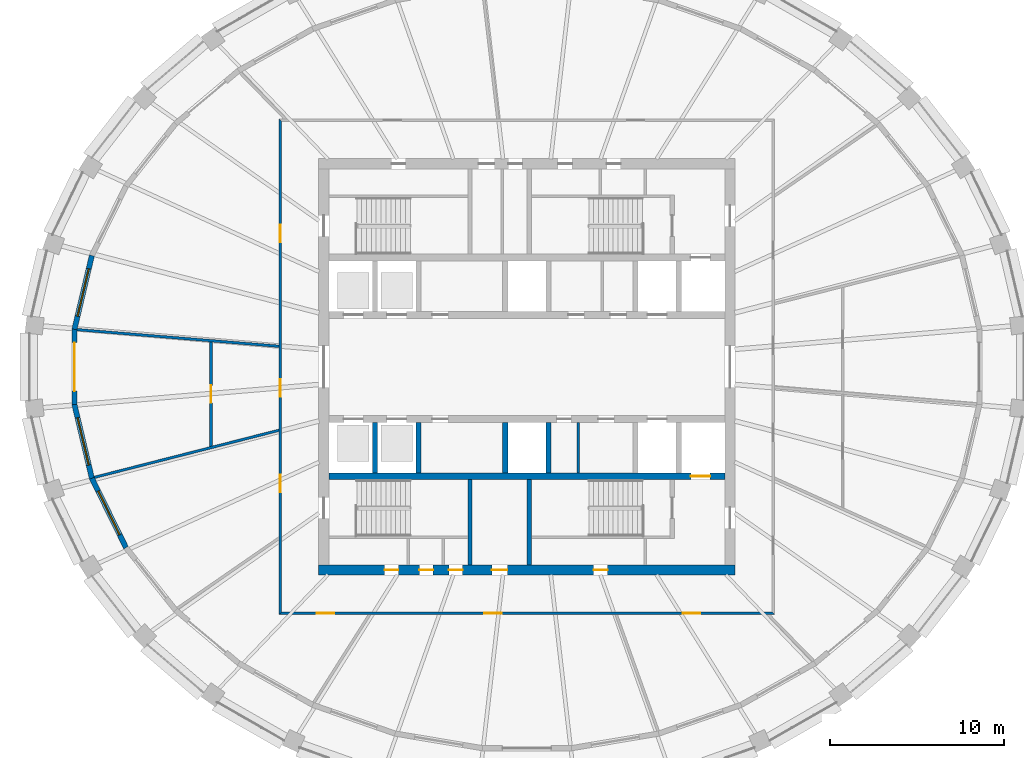
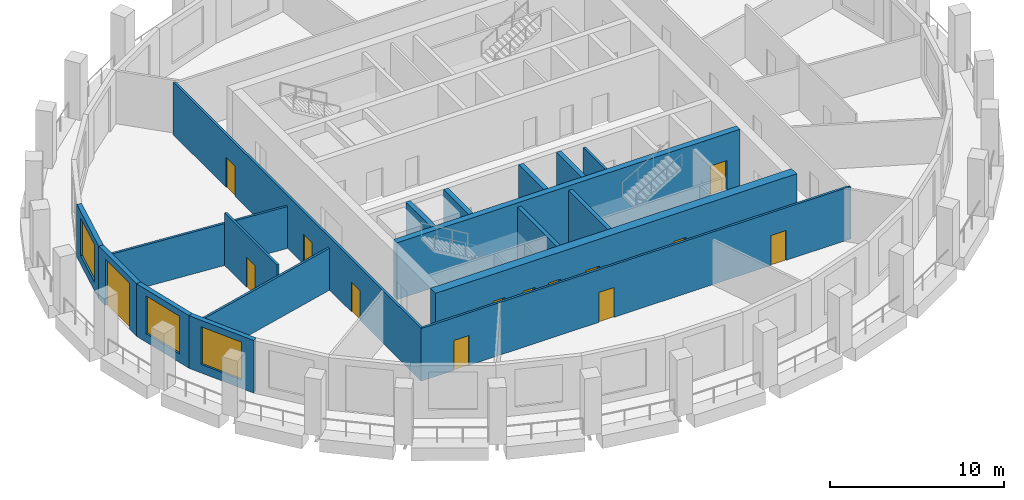
# One storey, part 3 of 10: 18 walls, 14 doors, 3 windows, 17 openings.
"""IFC4 building model written with IfcOpenShell, lengths in metres."""

import ifcopenshell
import ifcopenshell.guid

model = None  # the IFC model being written
_history = None  # IfcOwnerHistory: only IFC2X3 demands one
_inside = {}  # id of a spatial element -> (the spatial element, [elements in it])
_under = {}  # id of a project, library or spatial element -> (it, [spatial elements below it])
_declared = {}  # id of a project -> (the project, [libraries it declares])
_typed = {}  # id of a type object -> (the type object, [elements of that type])
_made_of = {}  # id of a material, layer set ... -> (it, [elements and type objects made of it])


def new_model(schema):
    """Start an empty IFC model of exactly this schema.

    Asked for "IFC4X3", IfcOpenShell would pick the latest addendum, in which some entities
    have other attributes; the version numbers below select the first issue.
    IFC2X3 requires an IfcOwnerHistory on every rooted entity: one is made here for all.
    """
    global model, _history
    if schema == "IFC4X3":
        model = ifcopenshell.file(schema_version=(4, 3, 0, 0))
    else:
        model = ifcopenshell.file(schema=schema)
    _inside.clear()
    _under.clear()
    _declared.clear()
    _typed.clear()
    _made_of.clear()
    _history = None
    if model.schema == "IFC2X3":
        org = make("IfcOrganization", Name="unknown")
        user = make(
            "IfcPersonAndOrganization",
            ThePerson=make("IfcPerson", FamilyName="unknown"),
            TheOrganization=org,
        )
        app = make(
            "IfcApplication",
            ApplicationDeveloper=org,
            Version="unknown",
            ApplicationFullName="unknown",
            ApplicationIdentifier="unknown",
        )
        _history = make(
            "IfcOwnerHistory",
            OwningUser=user,
            OwningApplication=app,
            ChangeAction="ADDED",
            CreationDate=0,
        )
    return model


def make(cls, **values):
    """One entity of the class cls with the attributes given. An attribute that is None is left unset."""
    return model.create_entity(
        cls, **{name: value for name, value in values.items() if value is not None}
    )


def rooted(cls, **values):
    """An entity with a GlobalId (a new one), such as an element, a storey or a relation."""
    return make(cls, GlobalId=ifcopenshell.guid.new(), OwnerHistory=_history, **values)


def si_unit(unit_type, name, prefix=None):
    """IfcSIUnit, for example si_unit("LENGTHUNIT", "METRE", prefix="MILLI")."""
    return make("IfcSIUnit", UnitType=unit_type, Prefix=prefix, Name=name)


def assignment(units):
    """IfcUnitAssignment: the units of a project."""
    return None if units is None else make("IfcUnitAssignment", Units=units)


def point(xyz):
    """IfcCartesianPoint."""
    return None if xyz is None else make("IfcCartesianPoint", Coordinates=xyz)


def direction(xyz):
    """IfcDirection."""
    return None if xyz is None else make("IfcDirection", DirectionRatios=xyz)


def frame(location, z_axis=None, x_axis=None):
    """IfcAxis2Placement3D, a coordinate frame: its origin and axes. An axis left out is left unset."""
    return make(
        "IfcAxis2Placement3D",
        Location=point(location),
        Axis=direction(z_axis),
        RefDirection=direction(x_axis),
    )


def frame_2d(location, x_axis=None):
    """IfcAxis2Placement2D, a coordinate frame in the plane: its origin and x axis."""
    return make(
        "IfcAxis2Placement2D", Location=point(location), RefDirection=direction(x_axis)
    )


def origin():
    """The frame at (0, 0, 0) with its axes left unset."""
    return frame((0.0, 0.0, 0.0))


def place(relative_to, where):
    """IfcLocalPlacement: puts the frame where relative to a parent placement (None: the world)."""
    return make(
        "IfcLocalPlacement", PlacementRelTo=relative_to, RelativePlacement=where
    )


def context(
    kind, dimensions, precision=None, world=None, true_north=None, identifier=None
):
    """IfcGeometricRepresentationContext, for example the 3D "Model" context."""
    return make(
        "IfcGeometricRepresentationContext",
        ContextIdentifier=identifier,
        ContextType=kind,
        CoordinateSpaceDimension=dimensions,
        Precision=precision,
        WorldCoordinateSystem=world,
        TrueNorth=true_north,
    )


def subcontext(parent, identifier, kind, view, scale=None):
    """IfcGeometricRepresentationSubContext, for example "Body" below "Model"."""
    return make(
        "IfcGeometricRepresentationSubContext",
        ContextIdentifier=identifier,
        ContextType=kind,
        ParentContext=parent,
        TargetScale=scale,
        TargetView=view,
    )


def project(units=None, contexts=None):
    """IfcProject with its units and contexts."""
    return rooted(
        "IfcProject",
        Name="project",
        RepresentationContexts=contexts,
        UnitsInContext=assignment(units),
    )


def spatial(cls, under=None, at=None, **own):
    """A site, building, storey or space (cls), placed at a placement, below another one or the project."""
    s = rooted(cls, ObjectPlacement=at, **own)
    if under is not None:
        _under.setdefault(under.id(), (under, []))[1].append(s)
    return s


def polyline(points):
    """IfcPolyline through the points."""
    return make("IfcPolyline", Points=[point(p) for p in points])


def profile(cls, at=None, kind="AREA", **sizes):
    """A parametric profile (cls). Its sizes go by their IFC names, for example OverallWidth=200.0."""
    return make(cls, ProfileType=kind, Position=at, **sizes)


def rectangle(**sizes):
    """IfcRectangleProfileDef."""
    return profile("IfcRectangleProfileDef", **sizes)


def outline(outer, holes=None, kind="AREA"):
    """IfcArbitraryClosedProfileDef: a profile drawn as a closed curve; with holes, ...WithVoids."""
    if holes is None:
        return make("IfcArbitraryClosedProfileDef", ProfileType=kind, OuterCurve=outer)
    return make(
        "IfcArbitraryProfileDefWithVoids",
        ProfileType=kind,
        OuterCurve=outer,
        InnerCurves=holes,
    )


def extrude(swept, where, along, depth):
    """IfcExtrudedAreaSolid: the profile swept, set in the frame where, extruded along a direction by depth."""
    return make(
        "IfcExtrudedAreaSolid",
        SweptArea=swept,
        Position=where,
        ExtrudedDirection=direction(along),
        Depth=depth,
    )


def shape(context_of_items, identifier, shape_type, items):
    """IfcShapeRepresentation: the items that make up one representation, for example the "Body"."""
    return make(
        "IfcShapeRepresentation",
        ContextOfItems=context_of_items,
        RepresentationIdentifier=identifier,
        RepresentationType=shape_type,
        Items=items,
    )


def material(Name=None, Category=None):
    """IfcMaterial."""
    return make("IfcMaterial", Name=Name, Category=Category)


def layer(
    of_material, thickness, ventilated=None, Name=None, Category=None, Priority=None
):
    """IfcMaterialLayer: one layer of a wall or slab, of a material (None: an air gap)."""
    return make(
        "IfcMaterialLayer",
        Material=of_material,
        LayerThickness=thickness,
        IsVentilated=ventilated,
        Name=Name,
        Category=Category,
        Priority=Priority,
    )


def layer_set(layers, Name=None):
    """IfcMaterialLayerSet."""
    return make("IfcMaterialLayerSet", MaterialLayers=layers, LayerSetName=Name)


def made_of(thing, what):
    """Note that an element or type object is made of a material, layer set ...; save() writes the relation."""
    if what is not None:
        _made_of.setdefault(what.id(), (what, []))[1].append(thing)
    return thing


def type_object(cls, material=None, **own):
    """A type object (cls), such as IfcWallType, which elements share."""
    return made_of(rooted(cls, **own), material)


def element(
    cls,
    number,
    at=None,
    inside=None,
    cuts=None,
    type_object=None,
    material=None,
    context=None,
    identifier="Body",
    shape_type=None,
    held_by="IfcProductDefinitionShape",
    body=None,
    shapes=None,
    **own,
):
    """One element of the class cls, such as IfcWall. Its Tag is "e" and its number.

    at: its placement. inside: the storey or other place that contains it. cuts: it is an
    opening in that element (IfcRelVoidsElement). A single representation is given by context,
    identifier, shape_type and body (its items); several are given by shapes. held_by: the class
    of the entity that holds the representations. save() writes the other relations.
    """
    e = rooted(cls, Tag="e%d" % number, ObjectPlacement=at, **own)
    if body is not None:
        shapes = [shape(context, identifier, shape_type, body)]
    if shapes is not None:
        e.Representation = make(held_by, Representations=shapes)
    if inside is not None:
        _inside.setdefault(inside.id(), (inside, []))[1].append(e)
    if cuts is not None:
        rooted(
            "IfcRelVoidsElement", RelatingBuildingElement=cuts, RelatedOpeningElement=e
        )
    if type_object is not None:
        _typed.setdefault(type_object.id(), (type_object, []))[1].append(e)
    return made_of(e, material)


def fill(opening, filler):
    """IfcRelFillsElement: the door or window that sits in an opening."""
    return rooted(
        "IfcRelFillsElement",
        RelatingOpeningElement=opening,
        RelatedBuildingElement=filler,
    )


def aggregate(whole, parts):
    """IfcRelAggregates: a whole, such as a stair, and the parts it consists of."""
    return rooted("IfcRelAggregates", RelatingObject=whole, RelatedObjects=parts)


def save(model, path):
    """Write the relations noted so far, then the file.

    IfcRelAggregates (storeys below a building ...), IfcRelContainedInSpatialStructure (elements
    in a storey), IfcRelDefinesByType, IfcRelAssociatesMaterial and IfcRelDeclares: one each for
    every whole, place, type object, material and project.
    """
    for whole, parts in _under.values():
        aggregate(whole, parts)
    for where, things in _inside.values():
        rooted(
            "IfcRelContainedInSpatialStructure",
            RelatedElements=things,
            RelatingStructure=where,
        )
    for kind, things in _typed.values():
        rooted("IfcRelDefinesByType", RelatedObjects=things, RelatingType=kind)
    for what, things in _made_of.values():
        rooted("IfcRelAssociatesMaterial", RelatedObjects=things, RelatingMaterial=what)
    for by, libraries in _declared.values():
        rooted("IfcRelDeclares", RelatingContext=by, RelatedDefinitions=libraries)
    model.write(path)


model = new_model("IFC4")

# Units and contexts
model_context = context("Model", 3, precision=1e-05, world=origin(), true_north=direction((0.0, 1.0)))
body_context = subcontext(model_context, "Body", "Model", "MODEL_VIEW")
ifc_project = project(units=[si_unit("LENGTHUNIT", "METRE"), si_unit("AREAUNIT", "SQUARE_METRE"), si_unit("VOLUMEUNIT", "CUBIC_METRE"), si_unit("PLANEANGLEUNIT", "RADIAN"), si_unit("MASSUNIT", "GRAM", prefix="KILO")], contexts=[model_context])

# Site, building, storey
site_placement = place(None, origin())
site = spatial("IfcSite", under=ifc_project, at=site_placement, CompositionType="ELEMENT")
building_placement = place(site_placement, origin())
building = spatial("IfcBuilding", under=site, at=building_placement, Name="Halqa Exchange Tower", CompositionType="ELEMENT")
storey_placement = place(building_placement, frame((0.0, 0.0, 312.300048828125)))
storey = spatial("IfcBuildingStorey", under=building, at=storey_placement, Name="L73", CompositionType="ELEMENT", Elevation=312.300048828125)

# Wall, opening, door
ifc_material_1 = material(Name="Gypsum board")
ifc_layer_1 = layer(ifc_material_1, 0.14990234375)
ifc_layer_set_1 = layer_set([ifc_layer_1], Name="Gypsum board")
wall_type_1 = type_object("IfcWallType", Name="Acoustic partition 150", PredefinedType="PARTITIONING", material=ifc_layer_set_1)
wall_1_placement = place(storey_placement, frame((-18.199951171875, -4.592529296875, 0.0), z_axis=(0.0, 0.0, 1.0), x_axis=(0.0, 1.0, 0.0)))
wall_1 = element("IfcWall", 1, at=wall_1_placement, inside=storey, type_object=wall_type_1, Name="L73-PWL-003", PredefinedType="PARTITIONING", context=body_context, shape_type="SweptSolid", body=[
    extrude(outline(polyline([(0.0380859375, -0.074951171875), (2.0322265625, -0.074951171875), (4.0263671875, -0.074951171875), (6.0205078125, -0.074951171875), (6.032470703125, 0.069580078125), (6.032470703125, 0.074951171875), (4.5244140625, 0.074951171875), (3.01611328125, 0.074951171875), (1.508056640625, 0.074951171875), (0.0, 0.074951171875), (0.0, 0.07470703125), (0.0380859375, -0.074951171875)])), origin(), (0.0, 0.0, 1.0), 3.699951171875),
])
opening_1_placement = place(wall_1_placement, frame((2.5224609375, 0.0, 0.0)))
opening_1 = element("IfcOpeningElement", 2, at=opening_1_placement, cuts=wall_1, Name="Opening 22-13", PredefinedType="OPENING", context=body_context, shape_type="SweptSolid", body=[
    extrude(rectangle(XDim=1.0, YDim=2.10009765625, at=frame_2d((0.5, 1.050048828125))), frame((0.0, 0.0869140625, 0.0), z_axis=(0.0, -1.0, 0.0), x_axis=(1.0, 0.0, 0.0)), (0.0, 0.0, 1.0), 0.173828125),
])
ifc_material_2 = material(Name="Timber door leaf", Category="wood")
door_type_1 = type_object("IfcDoorType", Name="Acoustic door 1000 x 2100", OperationType="SINGLE_SWING_LEFT", PredefinedType="DOOR", material=ifc_material_2)
door_1_placement = place(opening_1_placement, frame((1.0, 0.0, 0.0), z_axis=(0.0, 0.0, 1.0), x_axis=(-1.0, 0.0, 0.0)))
door_1 = element("IfcDoor", 3, at=door_1_placement, inside=storey, type_object=door_type_1, Name="L73-IDR-013", OperationType="SINGLE_SWING_LEFT", OverallHeight=2.10009765625, OverallWidth=1.0, PredefinedType="DOOR", context=body_context, shape_type="SweptSolid", body=[
    extrude(rectangle(XDim=1.0, YDim=2.10009765625, at=frame_2d((0.5, 1.050048828125))), frame((0.0, 0.02490234375, 0.0), z_axis=(0.0, -1.0, 0.0), x_axis=(1.0, 0.0, 0.0)), (0.0, 0.0, 1.0), 0.050048828125),
])
fill(opening_1, door_1)

# Walls
ifc_material_3 = material(Name="Fire-rated gypsum board")
ifc_layer_2 = layer(ifc_material_3, 0.14990234375)
ifc_layer_set_2 = layer_set([ifc_layer_2], Name="Fire-rated gypsum board")
wall_type_2 = type_object("IfcWallType", Name="Fire partition EI 60 150", PredefinedType="PARTITIONING", material=ifc_layer_set_2)
wall_2_placement = place(storey_placement, frame((-25.91015625, 2.14453125, 0.0), z_axis=(0.0, 0.0, 1.0), x_axis=(0.996625584757, -0.082081933503, 0.0)))
element("IfcWall", 4, at=wall_2_placement, inside=storey, type_object=wall_type_2, Name="L73-PWL-001", PredefinedType="PARTITIONING", context=body_context, shape_type="SweptSolid", body=[
    extrude(outline(polyline([(11.68017578125, -0.074951171875), (11.68017578125, -0.068359375), (11.66845703125, 0.074951171875), (9.724365234375, 0.074951171875), (7.7802734375, 0.074951171875), (5.836181640625, 0.074951171875), (3.89208984375, 0.074951171875), (1.947998046875, 0.074951171875), (0.00390625, 0.074951171875), (0.0, 0.049072265625), (0.0, -0.074951171875), (1.94677734375, -0.074951171875), (3.893310546875, -0.074951171875), (5.840087890625, -0.074951171875), (7.786865234375, -0.074951171875), (9.7333984375, -0.074951171875), (11.68017578125, -0.074951171875)])), origin(), (0.0, 0.0, 1.0), 2.947021484375),
])
wall_3_placement = place(storey_placement, frame((-24.918701171875, -6.365478515625, 0.0), z_axis=(0.0, 0.0, 1.0), x_axis=(0.968945878768, 0.247272893819, 0.0)))
element("IfcWall", 5, at=wall_3_placement, inside=storey, type_object=wall_type_2, Name="L73-PWL-002", PredefinedType="PARTITIONING", context=body_context, shape_type="SweptSolid", body=[
    extrude(outline(polyline([(0.014892578125, -0.074951171875), (1.83984375, -0.074951171875), (3.6650390625, -0.074951171875), (5.490234375, -0.074951171875), (7.3154296875, -0.074951171875), (9.140625, -0.074951171875), (10.965576171875, -0.074951171875), (11.00390625, 0.07470703125), (11.00390625, 0.074951171875), (9.017333984375, 0.074951171875), (7.030517578125, 0.074951171875), (7.030517578125, 0.074462890625), (7.028076171875, 0.074951171875), (5.27099609375, 0.074951171875), (3.51416015625, 0.074951171875), (1.757080078125, 0.074951171875), (0.0, 0.074951171875), (0.0, -0.004638671875), (0.014892578125, -0.074951171875)])), origin(), (0.0, 0.0, 1.0), 2.947021484375),
])

# Wall, openings, doors
wall_4_placement = place(storey_placement, frame((-14.199951171875, -14.27490234375, 0.0), z_axis=(0.0, 0.0, 1.0), x_axis=(0.0, 1.0, 0.0)))
wall_4 = element("IfcWall", 6, at=wall_4_placement, inside=storey, type_object=wall_type_2, Name="L73-PWL-005", PredefinedType="PARTITIONING", context=body_context, shape_type="SweptSolid", body=[
    extrude(outline(polyline([(0.14990234375, -0.074951171875), (2.033203125, -0.074951171875), (3.91650390625, -0.074951171875), (5.7998046875, -0.074951171875), (7.683349609375, -0.074951171875), (9.566650390625, -0.074951171875), (11.449951171875, -0.074951171875), (13.333251953125, -0.074951171875), (15.216552734375, -0.074951171875), (17.099853515625, -0.074951171875), (18.983154296875, -0.074951171875), (20.866455078125, -0.074951171875), (22.75, -0.074951171875), (24.63330078125, -0.074951171875), (26.5166015625, -0.074951171875), (28.39990234375, -0.074951171875), (28.5498046875, 0.074951171875), (28.5498046875, 0.074951171875), (26.646484375, 0.074951171875), (24.7431640625, 0.074951171875), (22.83984375, 0.074951171875), (20.9365234375, 0.074951171875), (19.033203125, 0.074951171875), (17.1298828125, 0.074951171875), (15.2265625, 0.074951171875), (13.3232421875, 0.074951171875), (11.419921875, 0.074951171875), (9.5166015625, 0.074951171875), (7.61328125, 0.074951171875), (5.7099609375, 0.074951171875), (3.806640625, 0.074951171875), (1.9033203125, 0.074951171875), (0.0, 0.074951171875), (0.14990234375, -0.074951171875)])), origin(), (0.0, 0.0, 1.0), 3.699951171875),
])
opening_2_placement = place(wall_4_placement, frame((21.465087890625, 0.0, 0.0)))
opening_2 = element("IfcOpeningElement", 7, at=opening_2_placement, cuts=wall_4, Name="Opening 22-01", PredefinedType="OPENING", context=body_context, shape_type="SweptSolid", body=[
    extrude(rectangle(XDim=1.0, YDim=2.10009765625, at=frame_2d((0.5, 1.050048828125))), frame((0.0, 0.0869140625, 0.0), z_axis=(0.0, -1.0, 0.0), x_axis=(1.0, 0.0, 0.0)), (0.0, 0.0, 1.0), 0.173828125),
])
opening_3_placement = place(wall_4_placement, frame((12.550048828125, 0.0, 0.0)))
opening_3 = element("IfcOpeningElement", 8, at=opening_3_placement, cuts=wall_4, Name="Opening 22-02", PredefinedType="OPENING", context=body_context, shape_type="SweptSolid", body=[
    extrude(rectangle(XDim=1.0, YDim=2.10009765625, at=frame_2d((0.5, 1.050048828125))), frame((0.0, 0.0869140625, 0.0), z_axis=(0.0, -1.0, 0.0), x_axis=(1.0, 0.0, 0.0)), (0.0, 0.0, 1.0), 0.173828125),
])
opening_4_placement = place(wall_4_placement, frame((7.054931640625, 0.0, 0.0)))
opening_4 = element("IfcOpeningElement", 9, at=opening_4_placement, cuts=wall_4, Name="Opening 22-03", PredefinedType="OPENING", context=body_context, shape_type="SweptSolid", body=[
    extrude(rectangle(XDim=1.0, YDim=2.10009765625, at=frame_2d((0.5, 1.050048828125))), frame((0.0, 0.0869140625, 0.0), z_axis=(0.0, -1.0, 0.0), x_axis=(1.0, 0.0, 0.0)), (0.0, 0.0, 1.0), 0.173828125),
])
ifc_material_4 = material(Name="Steel fire door leaf", Category="steel")
door_type_2 = type_object("IfcDoorType", Name="Fire door FD30S 1000 x 2100", OperationType="SINGLE_SWING_LEFT", PredefinedType="DOOR", material=ifc_material_4)
door_2_placement = place(opening_2_placement, origin())
door_2 = element("IfcDoor", 10, at=door_2_placement, inside=storey, type_object=door_type_2, Name="L73-IDR-001", OperationType="SINGLE_SWING_LEFT", OverallHeight=2.10009765625, OverallWidth=1.0, PredefinedType="DOOR", context=body_context, shape_type="SweptSolid", body=[
    extrude(rectangle(XDim=1.0, YDim=2.10009765625, at=frame_2d((0.5, 1.050048828125))), frame((0.0, 0.02490234375, 0.0), z_axis=(0.0, -1.0, 0.0), x_axis=(1.0, 0.0, 0.0)), (0.0, 0.0, 1.0), 0.050048828125),
])
fill(opening_2, door_2)
door_3_placement = place(opening_3_placement, origin())
door_3 = element("IfcDoor", 11, at=door_3_placement, inside=storey, type_object=door_type_2, Name="L73-IDR-002", OperationType="SINGLE_SWING_LEFT", OverallHeight=2.10009765625, OverallWidth=1.0, PredefinedType="DOOR", context=body_context, shape_type="SweptSolid", body=[
    extrude(rectangle(XDim=1.0, YDim=2.10009765625, at=frame_2d((0.5, 1.050048828125))), frame((0.0, 0.02490234375, 0.0), z_axis=(0.0, -1.0, 0.0), x_axis=(1.0, 0.0, 0.0)), (0.0, 0.0, 1.0), 0.050048828125),
])
fill(opening_3, door_3)
door_4_placement = place(opening_4_placement, origin())
door_4 = element("IfcDoor", 12, at=door_4_placement, inside=storey, type_object=door_type_2, Name="L73-IDR-003", OperationType="SINGLE_SWING_LEFT", OverallHeight=2.10009765625, OverallWidth=1.0, PredefinedType="DOOR", context=body_context, shape_type="SweptSolid", body=[
    extrude(rectangle(XDim=1.0, YDim=2.10009765625, at=frame_2d((0.5, 1.050048828125))), frame((0.0, 0.02490234375, 0.0), z_axis=(0.0, -1.0, 0.0), x_axis=(1.0, 0.0, 0.0)), (0.0, 0.0, 1.0), 0.050048828125),
])
fill(opening_4, door_4)

wall_5_placement = place(storey_placement, frame((-14.27490234375, -14.199951171875, 0.0), z_axis=(0.0, 0.0, 1.0), x_axis=(1.0, 0.0, 0.0)))
wall_5 = element("IfcWall", 13, at=wall_5_placement, inside=storey, type_object=wall_type_2, Name="L73-PWL-006", PredefinedType="PARTITIONING", context=body_context, shape_type="SweptSolid", body=[
    extrude(outline(polyline([(28.5498046875, -0.074951171875), (28.5498046875, -0.074951171875), (28.39990234375, 0.074951171875), (26.5166015625, 0.074951171875), (24.63330078125, 0.074951171875), (22.75, 0.074951171875), (20.866455078125, 0.074951171875), (18.983154296875, 0.074951171875), (17.099853515625, 0.074951171875), (15.216552734375, 0.074951171875), (13.333251953125, 0.074951171875), (11.449951171875, 0.074951171875), (9.566650390625, 0.074951171875), (7.683349609375, 0.074951171875), (5.7998046875, 0.074951171875), (3.91650390625, 0.074951171875), (2.033203125, 0.074951171875), (0.14990234375, 0.074951171875), (0.0, -0.074951171875), (1.9033203125, -0.074951171875), (3.806640625, -0.074951171875), (5.7099609375, -0.074951171875), (7.61328125, -0.074951171875), (9.5166015625, -0.074951171875), (11.419921875, -0.074951171875), (13.3232421875, -0.074951171875), (15.2265625, -0.074951171875), (17.1298828125, -0.074951171875), (19.033203125, -0.074951171875), (20.9365234375, -0.074951171875), (22.83984375, -0.074951171875), (24.7431640625, -0.074951171875), (26.646484375, -0.074951171875), (28.5498046875, -0.074951171875)])), origin(), (0.0, 0.0, 1.0), 3.699951171875),
])
opening_5_placement = place(wall_5_placement, frame((2.1650390625, 0.0, 0.0)))
opening_5 = element("IfcOpeningElement", 14, at=opening_5_placement, cuts=wall_5, Name="Opening 22-04", PredefinedType="OPENING", context=body_context, shape_type="SweptSolid", body=[
    extrude(rectangle(XDim=1.0, YDim=2.10009765625, at=frame_2d((0.5, 1.050048828125))), frame((0.0, 0.0869140625, 0.0), z_axis=(0.0, -1.0, 0.0), x_axis=(1.0, 0.0, 0.0)), (0.0, 0.0, 1.0), 0.173828125),
])
opening_6_placement = place(wall_5_placement, frame((11.824951171875, 0.0, 0.0)))
opening_6 = element("IfcOpeningElement", 15, at=opening_6_placement, cuts=wall_5, Name="Opening 22-05", PredefinedType="OPENING", context=body_context, shape_type="SweptSolid", body=[
    extrude(rectangle(XDim=1.0, YDim=2.10009765625, at=frame_2d((0.5, 1.050048828125))), frame((0.0, 0.0869140625, 0.0), z_axis=(0.0, -1.0, 0.0), x_axis=(1.0, 0.0, 0.0)), (0.0, 0.0, 1.0), 0.173828125),
])
opening_7_placement = place(wall_5_placement, frame((23.2548828125, 0.0, 0.0)))
opening_7 = element("IfcOpeningElement", 16, at=opening_7_placement, cuts=wall_5, Name="Opening 22-06", PredefinedType="OPENING", context=body_context, shape_type="SweptSolid", body=[
    extrude(rectangle(XDim=1.0, YDim=2.10009765625, at=frame_2d((0.5, 1.050048828125))), frame((0.0, 0.0869140625, 0.0), z_axis=(0.0, -1.0, 0.0), x_axis=(1.0, 0.0, 0.0)), (0.0, 0.0, 1.0), 0.173828125),
])
door_5_placement = place(opening_5_placement, frame((1.0, 0.0, 0.0), z_axis=(0.0, 0.0, 1.0), x_axis=(-1.0, 0.0, 0.0)))
door_5 = element("IfcDoor", 17, at=door_5_placement, inside=storey, type_object=door_type_2, Name="L73-IDR-004", OperationType="SINGLE_SWING_RIGHT", OverallHeight=2.10009765625, OverallWidth=1.0, PredefinedType="DOOR", context=body_context, shape_type="SweptSolid", body=[
    extrude(rectangle(XDim=1.0, YDim=2.10009765625, at=frame_2d((0.5, 1.050048828125))), frame((0.0, 0.02490234375, 0.0), z_axis=(0.0, -1.0, 0.0), x_axis=(1.0, 0.0, 0.0)), (0.0, 0.0, 1.0), 0.050048828125),
])
fill(opening_5, door_5)
door_6_placement = place(opening_6_placement, frame((1.0, 0.0, 0.0), z_axis=(0.0, 0.0, 1.0), x_axis=(-1.0, 0.0, 0.0)))
door_6 = element("IfcDoor", 18, at=door_6_placement, inside=storey, type_object=door_type_2, Name="L73-IDR-005", OperationType="SINGLE_SWING_LEFT", OverallHeight=2.10009765625, OverallWidth=1.0, PredefinedType="DOOR", context=body_context, shape_type="SweptSolid", body=[
    extrude(rectangle(XDim=1.0, YDim=2.10009765625, at=frame_2d((0.5, 1.050048828125))), frame((0.0, 0.02490234375, 0.0), z_axis=(0.0, -1.0, 0.0), x_axis=(1.0, 0.0, 0.0)), (0.0, 0.0, 1.0), 0.050048828125),
])
fill(opening_6, door_6)
door_7_placement = place(opening_7_placement, frame((1.0, 0.0, 0.0), z_axis=(0.0, 0.0, 1.0), x_axis=(-1.0, 0.0, 0.0)))
door_7 = element("IfcDoor", 19, at=door_7_placement, inside=storey, type_object=door_type_2, Name="L73-IDR-006", OperationType="SINGLE_SWING_LEFT", OverallHeight=2.10009765625, OverallWidth=1.0, PredefinedType="DOOR", context=body_context, shape_type="SweptSolid", body=[
    extrude(rectangle(XDim=1.0, YDim=2.10009765625, at=frame_2d((0.5, 1.050048828125))), frame((0.0, 0.02490234375, 0.0), z_axis=(0.0, -1.0, 0.0), x_axis=(1.0, 0.0, 0.0)), (0.0, 0.0, 1.0), 0.050048828125),
])
fill(opening_7, door_7)

# Walls
ifc_layer_3 = layer(ifc_material_1, 0.14990234375)
ifc_layer_set_3 = layer_set([ifc_layer_3], Name="Gypsum board")
wall_type_3 = type_object("IfcWallType", Name="Penthouse riser wall 150 gypsum", PredefinedType="PARTITIONING", material=ifc_layer_set_3)
wall_6_placement = place(storey_placement, frame((2.949951171875, -6.10009765625, 0.0), z_axis=(0.0, 0.0, 1.0), x_axis=(0.0, 1.0, 0.0)))
element("IfcWall", 20, at=wall_6_placement, inside=storey, type_object=wall_type_3, Name="Freed bay partition SE2.950", PredefinedType="PARTITIONING", context=body_context, shape_type="SweptSolid", body=[
    extrude(rectangle(XDim=2.900146484375, YDim=0.14990234375, at=frame_2d((1.4501953125, 0.0))), origin(), (0.0, 0.0, 1.0), 3.699951171875),
])
ifc_material_5 = material(Name="Concrete C60/75", Category="concrete")
ifc_layer_4 = layer(ifc_material_5, 0.300048828125)
ifc_layer_set_4 = layer_set([ifc_layer_4], Name="Concrete C60/75")
wall_type_4 = type_object("IfcWallType", Name="RC core wall 300", PredefinedType="SHEAR", material=ifc_layer_set_4)
for number, where, z_axis, x_axis, name in (
    (21, (-8.75, -6.10009765625, 0.0), (0.0, 0.0, 1.0), (0.0, 1.0, 0.0), "Shaft divider S1"),
    (22, (-6.25, -6.10009765625, 0.0), (0.0, 0.0, 1.0), (0.0, 1.0, 0.0), "Shaft divider S2"),
    (23, (-1.25, -6.10009765625, 0.0), (0.0, 0.0, 1.0), (0.0, 1.0, 0.0), "Shaft divider S4"),
    (24, (1.25, -6.10009765625, 0.0), (0.0, 0.0, 1.0), (0.0, 1.0, 0.0), "Shaft divider S5"),
):
    element("IfcWall", number, at=place(storey_placement, frame(where, z_axis=z_axis, x_axis=x_axis)), inside=storey, type_object=wall_type_4, Name=name, PredefinedType="SHEAR", context=body_context, shape_type="SweptSolid", body=[
        extrude(rectangle(XDim=2.900146484375, YDim=0.300048828125, at=frame_2d((1.4501953125, 0.0))), origin(), (0.0, 0.0, 1.0), 4.0),
    ])

# Wall, opening, door
ifc_layer_5 = layer(ifc_material_5, 0.39990234375)
ifc_layer_set_5 = layer_set([ifc_layer_5], Name="Concrete C60/75")
wall_type_5 = type_object("IfcWallType", Name="RC core wall 400 C60/75", PredefinedType="SHEAR", material=ifc_layer_set_5)
wall_7_placement = place(storey_placement, frame((-11.39990234375, -6.300048828125, 0.0), z_axis=(0.0, 0.0, 1.0), x_axis=(1.0, 0.0, 0.0)))
wall_7 = element("IfcWall", 25, at=wall_7_placement, inside=storey, type_object=wall_type_5, Name="Lift row back wall S", PredefinedType="SHEAR", context=body_context, shape_type="SweptSolid", body=[
    extrude(rectangle(XDim=22.7998046875, YDim=0.39990234375, at=frame_2d((11.39990234375, 0.0))), origin(), (0.0, 0.0, 1.0), 4.0),
])
opening_8_placement = place(wall_7_placement, frame((20.85009765625, 0.0, 0.0)))
opening_8 = element("IfcOpeningElement", 26, at=opening_8_placement, cuts=wall_7, Name="Opening LD-FF2-T22", PredefinedType="OPENING", context=body_context, shape_type="SweptSolid", body=[
    extrude(rectangle(XDim=1.10009765625, YDim=2.10009765625, at=frame_2d((0.550048828125, 1.050048828125))), frame((0.0, 0.2119140625, 0.0), z_axis=(0.0, -1.0, 0.0), x_axis=(1.0, 0.0, 0.0)), (0.0, 0.0, 1.0), 0.423828125),
])
ifc_material_6 = material(Name="Stainless steel", Category="steel")
door_type_3 = type_object("IfcDoorType", Name="Lift landing door 1100 x 2100", OperationType="SLIDING_TO_LEFT", PredefinedType="DOOR", material=ifc_material_6)
door_8_placement = place(opening_8_placement, origin())
door_8 = element("IfcDoor", 27, at=door_8_placement, inside=storey, type_object=door_type_3, Name="Lift landing door FF2", OperationType="SLIDING_TO_LEFT", OverallHeight=2.10009765625, OverallWidth=1.10009765625, PredefinedType="DOOR", context=body_context, shape_type="SweptSolid", body=[
    extrude(rectangle(XDim=1.10009765625, YDim=2.10009765625, at=frame_2d((0.550048828125, 1.050048828125))), frame((0.0, 0.02490234375, 0.0), z_axis=(0.0, -1.0, 0.0), x_axis=(1.0, 0.0, 0.0)), (0.0, 0.0, 1.0), 0.050048828125),
])
fill(opening_8, door_8)

# Wall, openings, doors
ifc_layer_6 = layer(ifc_material_5, 0.60009765625)
ifc_layer_set_6 = layer_set([ifc_layer_6], Name="Concrete C60/75")
wall_type_6 = type_object("IfcWallType", Name="RC core wall 600 C60/75", PredefinedType="SHEAR", material=ifc_layer_set_6)
wall_8_placement = place(storey_placement, frame((-12.0, -11.699951171875, 0.0), z_axis=(0.0, 0.0, 1.0), x_axis=(1.0, 0.0, 0.0)))
wall_8 = element("IfcWall", 28, at=wall_8_placement, inside=storey, type_object=wall_type_6, Name="Core wall south", PredefinedType="SHEAR", context=body_context, shape_type="SweptSolid", body=[
    extrude(rectangle(XDim=24.0, YDim=0.60009765625, at=frame_2d((12.0, 0.0))), origin(), (0.0, 0.0, 1.0), 4.0),
])
opening_9_placement = place(wall_8_placement, frame((9.97509765625, 0.0, 0.0)))
opening_9 = element("IfcOpeningElement", 29, at=opening_9_placement, cuts=wall_8, Name="Opening T22-C22", PredefinedType="OPENING", context=body_context, shape_type="SweptSolid", body=[
    extrude(rectangle(XDim=0.89990234375, YDim=2.10009765625, at=frame_2d((0.449951171875, 1.050048828125))), frame((0.0, 0.31201171875, 0.0), z_axis=(0.0, -1.0, 0.0), x_axis=(1.0, 0.0, 0.0)), (0.0, 0.0, 1.0), 0.6240234375),
])
opening_10_placement = place(wall_8_placement, frame((3.800048828125, 0.0, 0.0)))
opening_10 = element("IfcOpeningElement", 30, at=opening_10_placement, cuts=wall_8, Name="Opening T22-C23", PredefinedType="OPENING", context=body_context, shape_type="SweptSolid", body=[
    extrude(rectangle(XDim=0.800048828125, YDim=2.10009765625, at=frame_2d((0.39990234375, 1.050048828125))), frame((0.0, 0.31201171875, 0.0), z_axis=(0.0, -1.0, 0.0), x_axis=(1.0, 0.0, 0.0)), (0.0, 0.0, 1.0), 0.6240234375),
])
opening_11_placement = place(wall_8_placement, frame((5.800048828125, 0.0, 0.0)))
opening_11 = element("IfcOpeningElement", 31, at=opening_11_placement, cuts=wall_8, Name="Opening T22-C24", PredefinedType="OPENING", context=body_context, shape_type="SweptSolid", body=[
    extrude(rectangle(XDim=0.800048828125, YDim=2.10009765625, at=frame_2d((0.39990234375, 1.050048828125))), frame((0.0, 0.31201171875, 0.0), z_axis=(0.0, -1.0, 0.0), x_axis=(1.0, 0.0, 0.0)), (0.0, 0.0, 1.0), 0.6240234375),
])
opening_12_placement = place(wall_8_placement, frame((7.5, 0.0, 0.0)))
opening_12 = element("IfcOpeningElement", 32, at=opening_12_placement, cuts=wall_8, Name="Opening T22-C25", PredefinedType="OPENING", context=body_context, shape_type="SweptSolid", body=[
    extrude(rectangle(XDim=0.800048828125, YDim=2.10009765625, at=frame_2d((0.39990234375, 1.050048828125))), frame((0.0, 0.31201171875, 0.0), z_axis=(0.0, -1.0, 0.0), x_axis=(1.0, 0.0, 0.0)), (0.0, 0.0, 1.0), 0.6240234375),
])
opening_13_placement = place(wall_8_placement, frame((15.85009765625, 0.0, 0.0)))
opening_13 = element("IfcOpeningElement", 33, at=opening_13_placement, cuts=wall_8, Name="Opening T22-C26", PredefinedType="OPENING", context=body_context, shape_type="SweptSolid", body=[
    extrude(rectangle(XDim=0.800048828125, YDim=2.10009765625, at=frame_2d((0.39990234375, 1.050048828125))), frame((0.0, 0.31201171875, 0.0), z_axis=(0.0, -1.0, 0.0), x_axis=(1.0, 0.0, 0.0)), (0.0, 0.0, 1.0), 0.6240234375),
])
ifc_material_7 = material(Name="Timber fire door leaf", Category="wood")
door_type_4 = type_object("IfcDoorType", Name="Core room door FD30 900 x 2100", OperationType="SINGLE_SWING_LEFT", PredefinedType="DOOR", material=ifc_material_7)
door_9_placement = place(opening_9_placement, origin())
door_9 = element("IfcDoor", 34, at=door_9_placement, inside=storey, type_object=door_type_4, Name="Core room door", OperationType="SINGLE_SWING_LEFT", OverallHeight=2.10009765625, OverallWidth=0.89990234375, PredefinedType="DOOR", context=body_context, shape_type="SweptSolid", body=[
    extrude(rectangle(XDim=0.89990234375, YDim=2.10009765625, at=frame_2d((0.449951171875, 1.050048828125))), frame((0.0, 0.02490234375, 0.0), z_axis=(0.0, -1.0, 0.0), x_axis=(1.0, 0.0, 0.0)), (0.0, 0.0, 1.0), 0.050048828125),
])
fill(opening_9, door_9)
door_type_5 = type_object("IfcDoorType", Name="Riser door FD60 800 x 2100", OperationType="SINGLE_SWING_LEFT", PredefinedType="DOOR", material=ifc_material_4)
door_10_placement = place(opening_10_placement, origin())
door_10 = element("IfcDoor", 35, at=door_10_placement, inside=storey, type_object=door_type_5, Name="Core room door", OperationType="SINGLE_SWING_LEFT", OverallHeight=2.10009765625, OverallWidth=0.800048828125, PredefinedType="DOOR", context=body_context, shape_type="SweptSolid", body=[
    extrude(rectangle(XDim=0.800048828125, YDim=2.10009765625, at=frame_2d((0.39990234375, 1.050048828125))), frame((0.0, 0.02490234375, 0.0), z_axis=(0.0, -1.0, 0.0), x_axis=(1.0, 0.0, 0.0)), (0.0, 0.0, 1.0), 0.050048828125),
])
fill(opening_10, door_10)
door_11_placement = place(opening_11_placement, origin())
door_11 = element("IfcDoor", 36, at=door_11_placement, inside=storey, type_object=door_type_5, Name="Core room door", OperationType="SINGLE_SWING_RIGHT", OverallHeight=2.10009765625, OverallWidth=0.800048828125, PredefinedType="DOOR", context=body_context, shape_type="SweptSolid", body=[
    extrude(rectangle(XDim=0.800048828125, YDim=2.10009765625, at=frame_2d((0.39990234375, 1.050048828125))), frame((0.0, 0.02490234375, 0.0), z_axis=(0.0, -1.0, 0.0), x_axis=(1.0, 0.0, 0.0)), (0.0, 0.0, 1.0), 0.050048828125),
])
fill(opening_11, door_11)
door_12_placement = place(opening_12_placement, origin())
door_12 = element("IfcDoor", 37, at=door_12_placement, inside=storey, type_object=door_type_5, Name="Core room door", OperationType="SINGLE_SWING_RIGHT", OverallHeight=2.10009765625, OverallWidth=0.800048828125, PredefinedType="DOOR", context=body_context, shape_type="SweptSolid", body=[
    extrude(rectangle(XDim=0.800048828125, YDim=2.10009765625, at=frame_2d((0.39990234375, 1.050048828125))), frame((0.0, 0.02490234375, 0.0), z_axis=(0.0, -1.0, 0.0), x_axis=(1.0, 0.0, 0.0)), (0.0, 0.0, 1.0), 0.050048828125),
])
fill(opening_12, door_12)
door_13_placement = place(opening_13_placement, origin())
door_13 = element("IfcDoor", 38, at=door_13_placement, inside=storey, type_object=door_type_5, Name="Core room door", OperationType="SINGLE_SWING_LEFT", OverallHeight=2.10009765625, OverallWidth=0.800048828125, PredefinedType="DOOR", context=body_context, shape_type="SweptSolid", body=[
    extrude(rectangle(XDim=0.800048828125, YDim=2.10009765625, at=frame_2d((0.39990234375, 1.050048828125))), frame((0.0, 0.02490234375, 0.0), z_axis=(0.0, -1.0, 0.0), x_axis=(1.0, 0.0, 0.0)), (0.0, 0.0, 1.0), 0.050048828125),
])
fill(opening_13, door_13)

# Walls
ifc_material_8 = material(Name="Concrete C30/37", Category="concrete")
ifc_layer_7 = layer(ifc_material_8, 0.25)
ifc_layer_set_7 = layer_set([ifc_layer_7], Name="Concrete C30/37")
wall_type_7 = type_object("IfcWallType", Name="RC stair wall 250 C30/37", PredefinedType="SHEAR", material=ifc_layer_set_7)
for number, where, z_axis, x_axis, name in (
    (39, (-3.27490234375, -11.39990234375, 0.0), (0.0, 0.0, 1.0), (0.0, 1.0, 0.0), "Stair ST1 east wall S"),
    (40, (0.125, -11.39990234375, 0.0), (0.0, 0.0, 1.0), (0.0, 1.0, 0.0), "Stair ST2 west wall S"),
):
    element("IfcWall", number, at=place(storey_placement, frame(where, z_axis=z_axis, x_axis=x_axis)), inside=storey, type_object=wall_type_7, Name=name, PredefinedType="SHEAR", context=body_context, shape_type="SweptSolid", body=[
        extrude(rectangle(XDim=4.89990234375, YDim=0.25, at=frame_2d((2.449951171875, 0.0))), origin(), (0.0, 0.0, 1.0), 3.699951171875),
    ])

# Wall, opening, window
ifc_material_9 = material(Name="Limestone cladding", Category="masonry")
ifc_layer_8 = layer(ifc_material_9, 0.0400390625)
ifc_material_10 = material(Name="Ventilated cavity")
ifc_layer_9 = layer(ifc_material_10, 0.030029296875, ventilated=True)
ifc_material_11 = material(Name="Mineral wool insulation")
ifc_layer_10 = layer(ifc_material_11, 0.10009765625)
ifc_layer_11 = layer(ifc_material_8, 0.10009765625)
ifc_material_12 = material(Name="Internal plaster")
ifc_layer_12 = layer(ifc_material_12, 0.030029296875)
ifc_layer_set_8 = layer_set([ifc_layer_8, ifc_layer_9, ifc_layer_10, ifc_layer_11, ifc_layer_12], Name="Stone-faced insulated wall 300")
wall_type_8 = type_object("IfcWallType", Name="Stone-faced insulated wall 300", PredefinedType="STANDARD", material=ifc_layer_set_8)
wall_9_placement = place(storey_placement, frame((-25.062744140625, 6.41455078125, 0.0), z_axis=(0.0, 0.0, 1.0), x_axis=(-0.229974411334, -0.973196675977, 0.0)))
wall_9 = element("IfcWall", 41, at=wall_9_placement, inside=storey, type_object=wall_type_8, Name="Glass-line wall 15", PredefinedType="STANDARD", context=body_context, shape_type="SweptSolid", body=[
    extrude(outline(polyline([(-0.016845703125, -0.14990234375), (4.3828125, -0.14990234375), (4.34765625, 0.14990234375), (0.016845703125, 0.14990234375), (-0.016845703125, -0.14990234375)])), origin(), (0.0, 0.0, 1.0), 3.699951171875),
])
opening_14_placement = place(wall_9_placement, frame((0.78271484375, 0.0, 0.60009765625)))
opening_14 = element("IfcOpeningElement", 42, at=opening_14_placement, cuts=wall_9, Name="Opening W-F4-15", PredefinedType="OPENING", context=body_context, shape_type="SweptSolid", body=[
    extrude(rectangle(XDim=2.800048828125, YDim=2.64990234375, at=frame_2d((1.39990234375, 1.324951171875))), frame((0.0, 0.162109375, 0.0), z_axis=(0.0, -1.0, 0.0), x_axis=(1.0, 0.0, 0.0)), (0.0, 0.0, 1.0), 0.323974609375),
])
ifc_material_13 = material(Name="Clear low-emissivity glass in aluminium frame", Category="aluminium")
window_type = type_object("IfcWindowType", Name="Fixed clear glazed window 2800 x 2650", PartitioningType="DOUBLE_PANEL_VERTICAL", PredefinedType="WINDOW", material=ifc_material_13)
window_1_placement = place(opening_14_placement, origin())
window_1 = element("IfcWindow", 43, at=window_1_placement, inside=storey, type_object=window_type, Name="Window 4", OverallHeight=2.64990234375, OverallWidth=2.800048828125, PartitioningType="DOUBLE_PANEL_VERTICAL", PredefinedType="WINDOW", context=body_context, shape_type="SweptSolid", body=[
    extrude(rectangle(XDim=2.800048828125, YDim=2.64990234375, at=frame_2d((1.39990234375, 1.324951171875))), frame((0.0, 0.030029296875, 0.0), z_axis=(0.0, -1.0, 0.0), x_axis=(1.0, 0.0, 0.0)), (0.0, 0.0, 1.0), 0.06005859375),
])
fill(opening_14, window_1)

# Wall, opening, door
wall_10_placement = place(storey_placement, frame((-26.066650390625, 2.166259765625, 0.0), z_axis=(0.0, 0.0, 1.0), x_axis=(0.0, -1.0, 0.0)))
wall_10 = element("IfcWall", 44, at=wall_10_placement, inside=storey, type_object=wall_type_8, Name="Glass-line wall 16", PredefinedType="STANDARD", context=body_context, shape_type="SweptSolid", body=[
    extrude(outline(polyline([(-0.017578125, -0.14990234375), (4.35009765625, -0.14990234375), (4.31494140625, 0.14990234375), (0.017578125, 0.14990234375), (-0.017578125, -0.14990234375)])), origin(), (0.0, 0.0, 1.0), 3.699951171875),
])
opening_15_placement = place(wall_10_placement, frame((0.76611328125, 0.0, 0.0)))
opening_15 = element("IfcOpeningElement", 45, at=opening_15_placement, cuts=wall_10, Name="Opening LG-F4-04", PredefinedType="OPENING", context=body_context, shape_type="SweptSolid", body=[
    extrude(rectangle(XDim=2.800048828125, YDim=3.25, at=frame_2d((1.39990234375, 1.625))), frame((0.0, 0.162109375, 0.0), z_axis=(0.0, -1.0, 0.0), x_axis=(1.0, 0.0, 0.0)), (0.0, 0.0, 1.0), 0.323974609375),
])
door_type_6 = type_object("IfcDoorType", Name="Glazed sliding loggia door 2800 x 3250", OperationType="DOUBLE_DOOR_SLIDING", PredefinedType="DOOR", material=ifc_material_13)
door_14_placement = place(opening_15_placement, origin())
door_14 = element("IfcDoor", 46, at=door_14_placement, inside=storey, type_object=door_type_6, Name="Loggia door 4", OperationType="DOUBLE_DOOR_SLIDING", OverallHeight=3.25, OverallWidth=2.800048828125, PredefinedType="DOOR", context=body_context, shape_type="SweptSolid", body=[
    extrude(rectangle(XDim=2.800048828125, YDim=3.25, at=frame_2d((1.39990234375, 1.625))), frame((0.0, 0.02490234375, 0.0), z_axis=(0.0, -1.0, 0.0), x_axis=(1.0, 0.0, 0.0)), (0.0, 0.0, 1.0), 0.050048828125),
])
fill(opening_15, door_14)

# Wall, opening, window
wall_11_placement = place(storey_placement, frame((-26.066650390625, -2.166259765625, 0.0), z_axis=(0.0, 0.0, 1.0), x_axis=(0.229974411334, -0.973196675977, 0.0)))
wall_11 = element("IfcWall", 47, at=wall_11_placement, inside=storey, type_object=wall_type_8, Name="Glass-line wall 17", PredefinedType="STANDARD", context=body_context, shape_type="SweptSolid", body=[
    extrude(outline(polyline([(-0.017578125, -0.14990234375), (4.382080078125, -0.14990234375), (4.348388671875, 0.14990234375), (0.017578125, 0.14990234375), (-0.017578125, -0.14990234375)])), origin(), (0.0, 0.0, 1.0), 3.699951171875),
])
opening_16_placement = place(wall_11_placement, frame((0.78271484375, 0.0, 0.60009765625)))
opening_16 = element("IfcOpeningElement", 48, at=opening_16_placement, cuts=wall_11, Name="Opening W-F4-17", PredefinedType="OPENING", context=body_context, shape_type="SweptSolid", body=[
    extrude(rectangle(XDim=2.800048828125, YDim=2.64990234375, at=frame_2d((1.39990234375, 1.324951171875))), frame((0.0, 0.162109375, 0.0), z_axis=(0.0, -1.0, 0.0), x_axis=(1.0, 0.0, 0.0)), (0.0, 0.0, 1.0), 0.323974609375),
])
window_2_placement = place(opening_16_placement, origin())
window_2 = element("IfcWindow", 49, at=window_2_placement, inside=storey, type_object=window_type, Name="Window 4", OverallHeight=2.64990234375, OverallWidth=2.800048828125, PartitioningType="DOUBLE_PANEL_VERTICAL", PredefinedType="WINDOW", context=body_context, shape_type="SweptSolid", body=[
    extrude(rectangle(XDim=2.800048828125, YDim=2.64990234375, at=frame_2d((1.39990234375, 1.324951171875))), frame((0.0, 0.030029296875, 0.0), z_axis=(0.0, -1.0, 0.0), x_axis=(1.0, 0.0, 0.0)), (0.0, 0.0, 1.0), 0.06005859375),
])
fill(opening_16, window_2)

wall_12_placement = place(storey_placement, frame((-25.062744140625, -6.41455078125, 0.0), z_axis=(0.0, 0.0, 1.0), x_axis=(0.441509050872, -0.897256796017, 0.0)))
wall_12 = element("IfcWall", 50, at=wall_12_placement, inside=storey, type_object=wall_type_8, Name="Glass-line wall 18", PredefinedType="STANDARD", context=body_context, shape_type="SweptSolid", body=[
    extrude(outline(polyline([(-0.016845703125, -0.14990234375), (4.47412109375, -0.14990234375), (4.44189453125, 0.14990234375), (0.016845703125, 0.14990234375), (-0.016845703125, -0.14990234375)])), origin(), (0.0, 0.0, 1.0), 3.699951171875),
])
opening_17_placement = place(wall_12_placement, frame((0.8291015625, 0.0, 0.60009765625)))
opening_17 = element("IfcOpeningElement", 51, at=opening_17_placement, cuts=wall_12, Name="Opening W-F4-18", PredefinedType="OPENING", context=body_context, shape_type="SweptSolid", body=[
    extrude(rectangle(XDim=2.800048828125, YDim=2.64990234375, at=frame_2d((1.39990234375, 1.324951171875))), frame((0.0, 0.162109375, 0.0), z_axis=(0.0, -1.0, 0.0), x_axis=(1.0, 0.0, 0.0)), (0.0, 0.0, 1.0), 0.323974609375),
])
window_3_placement = place(opening_17_placement, origin())
window_3 = element("IfcWindow", 52, at=window_3_placement, inside=storey, type_object=window_type, Name="Window 4", OverallHeight=2.64990234375, OverallWidth=2.800048828125, PartitioningType="DOUBLE_PANEL_VERTICAL", PredefinedType="WINDOW", context=body_context, shape_type="SweptSolid", body=[
    extrude(rectangle(XDim=2.800048828125, YDim=2.64990234375, at=frame_2d((1.39990234375, 1.324951171875))), frame((0.0, 0.030029296875, 0.0), z_axis=(0.0, -1.0, 0.0), x_axis=(1.0, 0.0, 0.0)), (0.0, 0.0, 1.0), 0.06005859375),
])
fill(opening_17, window_3)

save(model, "model.ifc")
